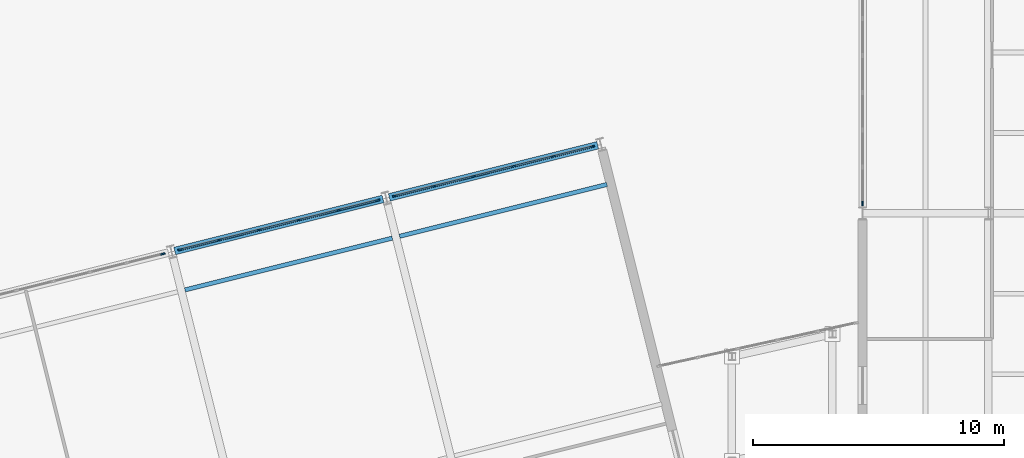
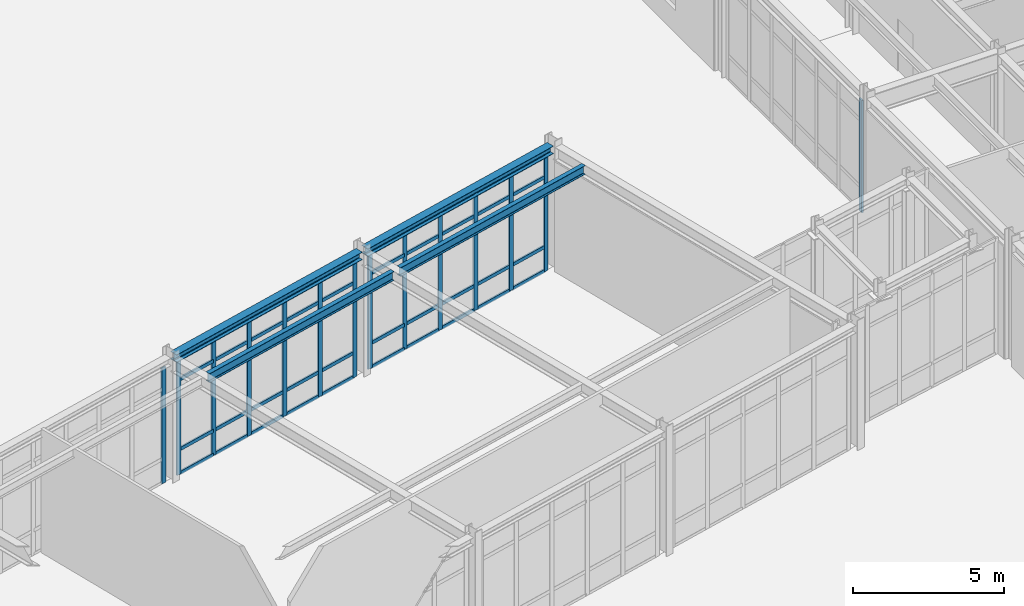
# One storey, part 58 of 109: 54 members, 4 beams, 4 elements without a shape of their own.
"""IFC4 building model written with IfcOpenShell, lengths in metres."""

from ifc_helpers import new_model, si_unit, direction, frame, origin, origin_2d, place, context, subcontext, project, spatial, rectangle, i_section, extrude, material, layer, layer_set, material_profile, profile_set, type_object, element, aggregate, save


model = new_model("IFC4")

# Units and contexts
model_context = context("Model", 3, precision=1e-05, world=origin(), true_north=direction((0.0, 1.0)))
body_context = subcontext(model_context, "Body", "Model", "MODEL_VIEW")
ifc_project = project(units=[si_unit("LENGTHUNIT", "METRE"), si_unit("AREAUNIT", "SQUARE_METRE"), si_unit("VOLUMEUNIT", "CUBIC_METRE"), si_unit("PLANEANGLEUNIT", "RADIAN"), si_unit("MASSUNIT", "GRAM", prefix="KILO")], contexts=[model_context])

# Site, building, storey
site_placement = place(None, origin())
site = spatial("IfcSite", under=ifc_project, at=site_placement, CompositionType="ELEMENT")
building_placement = place(site_placement, origin())
building = spatial("IfcBuilding", under=site, at=building_placement, Name="Nordkorset Police Headquarters", CompositionType="ELEMENT")
storey_placement = place(building_placement, origin())
storey = spatial("IfcBuildingStorey", under=building, at=storey_placement, Name="L00", CompositionType="ELEMENT", Elevation=0.0)

# Beams
ifc_material_1 = material(Name="Steel S355J2", Category="steel")
ifc_material_profile_1 = material_profile(ifc_material_1, i_section(OverallWidth=0.169921875, OverallDepth=0.360107421875, WebThickness=0.008056640625, FlangeThickness=0.0126953125, FilletRadius=0.01806640625, at=origin_2d()), Name="IPE 360")
ifc_profile_set_1 = profile_set([ifc_material_profile_1], Name="Steel S355J2")
beam_type_1 = type_object("IfcBeamType", Name="Beam_IPE_360", PredefinedType="BEAM", material=ifc_profile_set_1)
for number, where, z_axis, x_axis, name in (
    (1, (59.44677734375, 64.155517578125, 4.820068359375), (0.970135741501, 0.242562658011, 0.0), (-0.242562658011, 0.970135741501, 0.0), "Splayed Wing Secondary Beam L00 4-2"),
    (2, (67.984130859375, 66.2900390625, 4.820068359375), (0.970142500145, 0.242535625036, 0.0), (-0.242535625036, 0.970142500145, 0.0), "Splayed Wing Secondary Beam L00 5-2"),
):
    element("IfcBeam", number, at=place(storey_placement, frame(where, z_axis=z_axis, x_axis=x_axis)), inside=storey, type_object=beam_type_1, Name=name, PredefinedType="BEAM", context=body_context, shape_type="SweptSolid", body=[
        extrude(i_section(OverallWidth=0.169921875, OverallDepth=0.360107421875, WebThickness=0.008056640625, FlangeThickness=0.0126953125, FilletRadius=0.01806640625, at=origin_2d()), origin(), (0.0, 0.0, 1.0), 8.5),
    ])

# Curtain wall, member
ifc_material_2 = material(Name="Aluminium alloy AW-6060", Category="aluminium")
ifc_layer_1 = layer(ifc_material_2, 0.179931640625, Name="Aluminium alloy AW-6060")
ifc_layer_set_1 = layer_set([ifc_layer_1], Name="Aluminium alloy AW-6060")
curtain_wall_type_1 = type_object("IfcCurtainWallType", Name="CW_Unit_1056x467", PredefinedType="USERDEFINED", material=ifc_layer_set_1)
curtain_wall_1_placement = place(storey_placement, origin())
curtain_wall_1 = element("IfcCurtainWall", 3, at=curtain_wall_1_placement, inside=storey, type_object=curtain_wall_type_1, Name="Unitised Curtain Wall L00 V4N-3", ObjectType="UNITISED CURTAIN WALL", PredefinedType="USERDEFINED")
ifc_material_3 = material(Name="Aluminium alloy AW-6060", Category="aluminium")
ifc_material_profile_2 = material_profile(ifc_material_3, rectangle(XDim=0.06494140625, YDim=0.179931640625, at=origin_2d()), Name="ALU MULL 65x180")
ifc_profile_set_2 = profile_set([ifc_material_profile_2], Name="Aluminium alloy AW-6060")
member_type_1 = type_object("IfcMemberType", Name="CW_Mullion_65x180", PredefinedType="MULLION", material=ifc_profile_set_2)
member_1_placement = place(storey_placement, frame((58.5712890625, 65.5859375, 0.0), z_axis=(0.0, 0.0, 1.0), x_axis=(-0.242536070676, 0.970142388735, 0.0)))
member_1 = element("IfcMember", 4, at=member_1_placement, type_object=member_type_1, Name="CW-18 mullion 8", PredefinedType="MULLION", context=body_context, shape_type="SweptSolid", body=[
    extrude(rectangle(XDim=0.06494140625, YDim=0.179931640625, at=origin_2d()), origin(), (0.0, 0.0, 1.0), 4.669921875),
])
aggregate(curtain_wall_1, [member_1])

# Curtain wall, members
ifc_material_4 = material(Name="Aluminium alloy AW-6060", Category="aluminium")
ifc_layer_2 = layer(ifc_material_4, 0.179931640625, Name="Aluminium alloy AW-6060")
ifc_layer_set_2 = layer_set([ifc_layer_2], Name="Aluminium alloy AW-6060")
curtain_wall_type_2 = type_object("IfcCurtainWallType", Name="CW_Unit_816x467", PredefinedType="USERDEFINED", material=ifc_layer_set_2)
curtain_wall_2_placement = place(storey_placement, origin())
curtain_wall_2 = element("IfcCurtainWall", 5, at=curtain_wall_2_placement, inside=storey, type_object=curtain_wall_type_2, Name="Unitised Curtain Wall L00 V4N-4", ObjectType="UNITISED CURTAIN WALL", PredefinedType="USERDEFINED")
member_2_placement = place(storey_placement, frame((59.255126953125, 65.757080078125, 0.0), z_axis=(0.0, 0.0, 1.0), x_axis=(-0.242535336683, 0.970142572234, 0.0)))
member_2 = element("IfcMember", 6, at=member_2_placement, type_object=member_type_1, Name="CW-80 mullion 1", PredefinedType="MULLION", context=body_context, shape_type="SweptSolid", body=[
    extrude(rectangle(XDim=0.06494140625, YDim=0.179931640625, at=origin_2d()), origin(), (0.0, 0.0, 1.0), 4.669921875),
])
member_3_placement = place(storey_placement, frame((60.806884765625, 66.14501953125, 0.0), z_axis=(0.0, 0.0, 1.0), x_axis=(-0.242535336683, 0.970142572234, 0.0)))
member_3 = element("IfcMember", 7, at=member_3_placement, type_object=member_type_1, Name="CW-80 mullion 2", PredefinedType="MULLION", context=body_context, shape_type="SweptSolid", body=[
    extrude(rectangle(XDim=0.06494140625, YDim=0.179931640625, at=origin_2d()), origin(), (0.0, 0.0, 1.0), 4.669921875),
])
member_4_placement = place(storey_placement, frame((62.39013671875, 66.540771484375, 0.0), z_axis=(0.0, 0.0, 1.0), x_axis=(-0.242535336683, 0.970142572234, 0.0)))
member_4 = element("IfcMember", 8, at=member_4_placement, type_object=member_type_1, Name="CW-80 mullion 3", PredefinedType="MULLION", context=body_context, shape_type="SweptSolid", body=[
    extrude(rectangle(XDim=0.06494140625, YDim=0.179931640625, at=origin_2d()), origin(), (0.0, 0.0, 1.0), 4.669921875),
])
member_5_placement = place(storey_placement, frame((63.973388671875, 66.9365234375, 0.0), z_axis=(0.0, 0.0, 1.0), x_axis=(-0.242535336683, 0.970142572234, 0.0)))
member_5 = element("IfcMember", 9, at=member_5_placement, type_object=member_type_1, Name="CW-80 mullion 4", PredefinedType="MULLION", context=body_context, shape_type="SweptSolid", body=[
    extrude(rectangle(XDim=0.06494140625, YDim=0.179931640625, at=origin_2d()), origin(), (0.0, 0.0, 1.0), 4.669921875),
])
member_6_placement = place(storey_placement, frame((65.556640625, 67.332275390625, 0.0), z_axis=(0.0, 0.0, 1.0), x_axis=(-0.242535336683, 0.970142572234, 0.0)))
member_6 = element("IfcMember", 10, at=member_6_placement, type_object=member_type_1, Name="CW-80 mullion 5", PredefinedType="MULLION", context=body_context, shape_type="SweptSolid", body=[
    extrude(rectangle(XDim=0.06494140625, YDim=0.179931640625, at=origin_2d()), origin(), (0.0, 0.0, 1.0), 4.669921875),
])
member_7_placement = place(storey_placement, frame((67.1083984375, 67.72021484375, 0.0), z_axis=(0.0, 0.0, 1.0), x_axis=(-0.242535336683, 0.970142572234, 0.0)))
member_7 = element("IfcMember", 11, at=member_7_placement, type_object=member_type_1, Name="CW-80 mullion 6", PredefinedType="MULLION", context=body_context, shape_type="SweptSolid", body=[
    extrude(rectangle(XDim=0.06494140625, YDim=0.179931640625, at=origin_2d()), origin(), (0.0, 0.0, 1.0), 4.669921875),
])

curtain_wall_3_placement = place(storey_placement, origin())
curtain_wall_3 = element("IfcCurtainWall", 12, at=curtain_wall_3_placement, inside=storey, type_object=curtain_wall_type_2, Name="Unitised Curtain Wall L00 V4N-5", ObjectType="UNITISED CURTAIN WALL", PredefinedType="USERDEFINED")
member_8_placement = place(storey_placement, frame((67.79248046875, 67.891357421875, 0.0), z_axis=(0.0, 0.0, 1.0), x_axis=(-0.242535625038, 0.970142500145, 0.0)))
member_8 = element("IfcMember", 13, at=member_8_placement, type_object=member_type_1, Name="CW-80 mullion 1", PredefinedType="MULLION", context=body_context, shape_type="SweptSolid", body=[
    extrude(rectangle(XDim=0.06494140625, YDim=0.179931640625, at=origin_2d()), origin(), (0.0, 0.0, 1.0), 4.669921875),
])
member_9_placement = place(storey_placement, frame((69.34423828125, 68.279296875, 0.0), z_axis=(0.0, 0.0, 1.0), x_axis=(-0.242535625038, 0.970142500145, 0.0)))
member_9 = element("IfcMember", 14, at=member_9_placement, type_object=member_type_1, Name="CW-80 mullion 2", PredefinedType="MULLION", context=body_context, shape_type="SweptSolid", body=[
    extrude(rectangle(XDim=0.06494140625, YDim=0.179931640625, at=origin_2d()), origin(), (0.0, 0.0, 1.0), 4.669921875),
])
member_10_placement = place(storey_placement, frame((70.927490234375, 68.675048828125, 0.0), z_axis=(0.0, 0.0, 1.0), x_axis=(-0.242535625038, 0.970142500145, 0.0)))
member_10 = element("IfcMember", 15, at=member_10_placement, type_object=member_type_1, Name="CW-80 mullion 3", PredefinedType="MULLION", context=body_context, shape_type="SweptSolid", body=[
    extrude(rectangle(XDim=0.06494140625, YDim=0.179931640625, at=origin_2d()), origin(), (0.0, 0.0, 1.0), 4.669921875),
])
member_11_placement = place(storey_placement, frame((72.5107421875, 69.07080078125, 0.0), z_axis=(0.0, 0.0, 1.0), x_axis=(-0.242535625038, 0.970142500145, 0.0)))
member_11 = element("IfcMember", 16, at=member_11_placement, type_object=member_type_1, Name="CW-80 mullion 4", PredefinedType="MULLION", context=body_context, shape_type="SweptSolid", body=[
    extrude(rectangle(XDim=0.06494140625, YDim=0.179931640625, at=origin_2d()), origin(), (0.0, 0.0, 1.0), 4.669921875),
])
member_12_placement = place(storey_placement, frame((74.093994140625, 69.466552734375, 0.0), z_axis=(0.0, 0.0, 1.0), x_axis=(-0.242535625038, 0.970142500145, 0.0)))
member_12 = element("IfcMember", 17, at=member_12_placement, type_object=member_type_1, Name="CW-80 mullion 5", PredefinedType="MULLION", context=body_context, shape_type="SweptSolid", body=[
    extrude(rectangle(XDim=0.06494140625, YDim=0.179931640625, at=origin_2d()), origin(), (0.0, 0.0, 1.0), 4.669921875),
])
member_13_placement = place(storey_placement, frame((75.645751953125, 69.8544921875, 0.0), z_axis=(0.0, 0.0, 1.0), x_axis=(-0.242535625038, 0.970142500145, 0.0)))
member_13 = element("IfcMember", 18, at=member_13_placement, type_object=member_type_1, Name="CW-80 mullion 6", PredefinedType="MULLION", context=body_context, shape_type="SweptSolid", body=[
    extrude(rectangle(XDim=0.06494140625, YDim=0.179931640625, at=origin_2d()), origin(), (0.0, 0.0, 1.0), 4.669921875),
])

# Curtain wall, member
ifc_material_5 = material(Name="Aluminium alloy AW-6060", Category="aluminium")
ifc_layer_3 = layer(ifc_material_5, 0.179931640625, Name="Aluminium alloy AW-6060")
ifc_layer_set_3 = layer_set([ifc_layer_3], Name="Aluminium alloy AW-6060")
curtain_wall_type_3 = type_object("IfcCurtainWallType", Name="CW_Unit_888x454", PredefinedType="USERDEFINED", material=ifc_layer_set_3)
curtain_wall_4_placement = place(storey_placement, origin())
curtain_wall_4 = element("IfcCurtainWall", 19, at=curtain_wall_4_placement, inside=storey, type_object=curtain_wall_type_3, Name="Unitised Curtain Wall L00 V5W-2", ObjectType="UNITISED CURTAIN WALL", PredefinedType="USERDEFINED")
member_14_placement = place(storey_placement, frame((86.39990234375, 67.592529296875, 0.0), z_axis=(0.0, 0.0, 1.0), x_axis=(-1.0, 0.0, 0.0)))
member_14 = element("IfcMember", 20, at=member_14_placement, type_object=member_type_1, Name="CW-82 mullion 1", PredefinedType="MULLION", context=body_context, shape_type="SweptSolid", body=[
    extrude(rectangle(XDim=0.06494140625, YDim=0.179931640625, at=origin_2d()), origin(), (0.0, 0.0, 1.0), 4.5400390625),
])
aggregate(curtain_wall_4, [member_14])

# Member
ifc_material_6 = material(Name="Aluminium alloy AW-6060", Category="aluminium")
ifc_material_profile_3 = material_profile(ifc_material_6, rectangle(XDim=0.06494140625, YDim=0.139892578125, at=origin_2d()), Name="ALU TRAN 65x140")
ifc_profile_set_3 = profile_set([ifc_material_profile_3], Name="Aluminium alloy AW-6060")
member_type_2 = type_object("IfcMemberType", Name="CW_Transom_65x140", PredefinedType="USERDEFINED", material=ifc_profile_set_3)
member_15_placement = place(storey_placement, frame((59.28662109375, 65.764892578125, 0.032470703125), z_axis=(0.970161214313, 0.242460756086, 0.0), x_axis=(-0.242460756086, 0.970161214313, 0.0)))
member_15 = element("IfcMember", 21, at=member_15_placement, type_object=member_type_2, Name="CW-80 transom 1.1", ObjectType="TRANSOM", PredefinedType="USERDEFINED", context=body_context, shape_type="SweptSolid", body=[
    extrude(rectangle(XDim=0.06494140625, YDim=0.139892578125, at=origin_2d()), origin(), (0.0, 0.0, 1.0), 1.53466796875),
])

member_16_placement = place(storey_placement, frame((59.28662109375, 65.764892578125, 1.0), z_axis=(0.970161214313, 0.242460756086, 0.0), x_axis=(-0.242460756086, 0.970161214313, 0.0)))
member_16 = element("IfcMember", 22, at=member_16_placement, type_object=member_type_2, Name="CW-80 transom 1.2", ObjectType="TRANSOM", PredefinedType="USERDEFINED", context=body_context, shape_type="SweptSolid", body=[
    extrude(rectangle(XDim=0.06494140625, YDim=0.139892578125, at=origin_2d()), origin(), (0.0, 0.0, 1.0), 1.53466796875),
])

member_17_placement = place(storey_placement, frame((59.28662109375, 65.764892578125, 3.820068359375), z_axis=(0.970161214313, 0.242460756086, 0.0), x_axis=(-0.242460756086, 0.970161214313, 0.0)))
member_17 = element("IfcMember", 23, at=member_17_placement, type_object=member_type_2, Name="CW-80 transom 1.3", ObjectType="TRANSOM", PredefinedType="USERDEFINED", context=body_context, shape_type="SweptSolid", body=[
    extrude(rectangle(XDim=0.06494140625, YDim=0.139892578125, at=origin_2d()), origin(), (0.0, 0.0, 1.0), 1.53466796875),
])

member_18_placement = place(storey_placement, frame((59.28662109375, 65.764892578125, 4.637451171875), z_axis=(0.970161214313, 0.242460756086, 0.0), x_axis=(-0.242460756086, 0.970161214313, 0.0)))
member_18 = element("IfcMember", 24, at=member_18_placement, type_object=member_type_2, Name="CW-80 transom 1.4", ObjectType="TRANSOM", PredefinedType="USERDEFINED", context=body_context, shape_type="SweptSolid", body=[
    extrude(rectangle(XDim=0.06494140625, YDim=0.139892578125, at=origin_2d()), origin(), (0.0, 0.0, 1.0), 1.53466796875),
])

member_19_placement = place(storey_placement, frame((60.83837890625, 66.15283203125, 0.032470703125), z_axis=(0.970133335061, 0.24257228243, 0.0), x_axis=(-0.24257228243, 0.970133335061, 0.0)))
member_19 = element("IfcMember", 25, at=member_19_placement, type_object=member_type_2, Name="CW-80 transom 2.1", ObjectType="TRANSOM", PredefinedType="USERDEFINED", context=body_context, shape_type="SweptSolid", body=[
    extrude(rectangle(XDim=0.06494140625, YDim=0.139892578125, at=origin_2d()), origin(), (0.0, 0.0, 1.0), 1.567138671875),
])

member_20_placement = place(storey_placement, frame((60.83837890625, 66.15283203125, 1.0), z_axis=(0.970133335061, 0.24257228243, 0.0), x_axis=(-0.24257228243, 0.970133335061, 0.0)))
member_20 = element("IfcMember", 26, at=member_20_placement, type_object=member_type_2, Name="CW-80 transom 2.2", ObjectType="TRANSOM", PredefinedType="USERDEFINED", context=body_context, shape_type="SweptSolid", body=[
    extrude(rectangle(XDim=0.06494140625, YDim=0.139892578125, at=origin_2d()), origin(), (0.0, 0.0, 1.0), 1.567138671875),
])

member_21_placement = place(storey_placement, frame((60.83837890625, 66.15283203125, 3.820068359375), z_axis=(0.970133335061, 0.24257228243, 0.0), x_axis=(-0.24257228243, 0.970133335061, 0.0)))
member_21 = element("IfcMember", 27, at=member_21_placement, type_object=member_type_2, Name="CW-80 transom 2.3", ObjectType="TRANSOM", PredefinedType="USERDEFINED", context=body_context, shape_type="SweptSolid", body=[
    extrude(rectangle(XDim=0.06494140625, YDim=0.139892578125, at=origin_2d()), origin(), (0.0, 0.0, 1.0), 1.567138671875),
])

member_22_placement = place(storey_placement, frame((60.83837890625, 66.15283203125, 4.637451171875), z_axis=(0.970133335061, 0.24257228243, 0.0), x_axis=(-0.24257228243, 0.970133335061, 0.0)))
member_22 = element("IfcMember", 28, at=member_22_placement, type_object=member_type_2, Name="CW-80 transom 2.4", ObjectType="TRANSOM", PredefinedType="USERDEFINED", context=body_context, shape_type="SweptSolid", body=[
    extrude(rectangle(XDim=0.06494140625, YDim=0.139892578125, at=origin_2d()), origin(), (0.0, 0.0, 1.0), 1.567138671875),
])

member_23_placement = place(storey_placement, frame((62.421630859375, 66.548583984375, 0.032470703125), z_axis=(0.970133335061, 0.24257228243, 0.0), x_axis=(-0.24257228243, 0.970133335061, 0.0)))
member_23 = element("IfcMember", 29, at=member_23_placement, type_object=member_type_2, Name="CW-80 transom 3.1", ObjectType="TRANSOM", PredefinedType="USERDEFINED", context=body_context, shape_type="SweptSolid", body=[
    extrude(rectangle(XDim=0.06494140625, YDim=0.139892578125, at=origin_2d()), origin(), (0.0, 0.0, 1.0), 1.567138671875),
])

member_24_placement = place(storey_placement, frame((62.421630859375, 66.548583984375, 1.0), z_axis=(0.970133335061, 0.24257228243, 0.0), x_axis=(-0.24257228243, 0.970133335061, 0.0)))
member_24 = element("IfcMember", 30, at=member_24_placement, type_object=member_type_2, Name="CW-80 transom 3.2", ObjectType="TRANSOM", PredefinedType="USERDEFINED", context=body_context, shape_type="SweptSolid", body=[
    extrude(rectangle(XDim=0.06494140625, YDim=0.139892578125, at=origin_2d()), origin(), (0.0, 0.0, 1.0), 1.567138671875),
])

member_25_placement = place(storey_placement, frame((62.421630859375, 66.548583984375, 3.820068359375), z_axis=(0.970133335061, 0.24257228243, 0.0), x_axis=(-0.24257228243, 0.970133335061, 0.0)))
member_25 = element("IfcMember", 31, at=member_25_placement, type_object=member_type_2, Name="CW-80 transom 3.3", ObjectType="TRANSOM", PredefinedType="USERDEFINED", context=body_context, shape_type="SweptSolid", body=[
    extrude(rectangle(XDim=0.06494140625, YDim=0.139892578125, at=origin_2d()), origin(), (0.0, 0.0, 1.0), 1.567138671875),
])

member_26_placement = place(storey_placement, frame((62.421630859375, 66.548583984375, 4.637451171875), z_axis=(0.970133335061, 0.24257228243, 0.0), x_axis=(-0.24257228243, 0.970133335061, 0.0)))
member_26 = element("IfcMember", 32, at=member_26_placement, type_object=member_type_2, Name="CW-80 transom 3.4", ObjectType="TRANSOM", PredefinedType="USERDEFINED", context=body_context, shape_type="SweptSolid", body=[
    extrude(rectangle(XDim=0.06494140625, YDim=0.139892578125, at=origin_2d()), origin(), (0.0, 0.0, 1.0), 1.567138671875),
])

member_27_placement = place(storey_placement, frame((64.0048828125, 66.9443359375, 0.032470703125), z_axis=(0.970133335061, 0.24257228243, 0.0), x_axis=(-0.24257228243, 0.970133335061, 0.0)))
member_27 = element("IfcMember", 33, at=member_27_placement, type_object=member_type_2, Name="CW-80 transom 4.1", ObjectType="TRANSOM", PredefinedType="USERDEFINED", context=body_context, shape_type="SweptSolid", body=[
    extrude(rectangle(XDim=0.06494140625, YDim=0.139892578125, at=origin_2d()), origin(), (0.0, 0.0, 1.0), 1.567138671875),
])

member_28_placement = place(storey_placement, frame((64.0048828125, 66.9443359375, 1.0), z_axis=(0.970133335061, 0.24257228243, 0.0), x_axis=(-0.24257228243, 0.970133335061, 0.0)))
member_28 = element("IfcMember", 34, at=member_28_placement, type_object=member_type_2, Name="CW-80 transom 4.2", ObjectType="TRANSOM", PredefinedType="USERDEFINED", context=body_context, shape_type="SweptSolid", body=[
    extrude(rectangle(XDim=0.06494140625, YDim=0.139892578125, at=origin_2d()), origin(), (0.0, 0.0, 1.0), 1.567138671875),
])

member_29_placement = place(storey_placement, frame((64.0048828125, 66.9443359375, 3.820068359375), z_axis=(0.970133335061, 0.24257228243, 0.0), x_axis=(-0.24257228243, 0.970133335061, 0.0)))
member_29 = element("IfcMember", 35, at=member_29_placement, type_object=member_type_2, Name="CW-80 transom 4.3", ObjectType="TRANSOM", PredefinedType="USERDEFINED", context=body_context, shape_type="SweptSolid", body=[
    extrude(rectangle(XDim=0.06494140625, YDim=0.139892578125, at=origin_2d()), origin(), (0.0, 0.0, 1.0), 1.567138671875),
])

member_30_placement = place(storey_placement, frame((64.0048828125, 66.9443359375, 4.637451171875), z_axis=(0.970133335061, 0.24257228243, 0.0), x_axis=(-0.24257228243, 0.970133335061, 0.0)))
member_30 = element("IfcMember", 36, at=member_30_placement, type_object=member_type_2, Name="CW-80 transom 4.4", ObjectType="TRANSOM", PredefinedType="USERDEFINED", context=body_context, shape_type="SweptSolid", body=[
    extrude(rectangle(XDim=0.06494140625, YDim=0.139892578125, at=origin_2d()), origin(), (0.0, 0.0, 1.0), 1.567138671875),
])

member_31_placement = place(storey_placement, frame((65.588134765625, 67.34033203125, 0.032470703125), z_axis=(0.970161214313, 0.242460756086, 0.0), x_axis=(-0.242460756086, 0.970161214313, 0.0)))
member_31 = element("IfcMember", 37, at=member_31_placement, type_object=member_type_2, Name="CW-80 transom 5.1", ObjectType="TRANSOM", PredefinedType="USERDEFINED", context=body_context, shape_type="SweptSolid", body=[
    extrude(rectangle(XDim=0.06494140625, YDim=0.139892578125, at=origin_2d()), origin(), (0.0, 0.0, 1.0), 1.53466796875),
])

member_32_placement = place(storey_placement, frame((65.588134765625, 67.34033203125, 1.0), z_axis=(0.970161214313, 0.242460756086, 0.0), x_axis=(-0.242460756086, 0.970161214313, 0.0)))
member_32 = element("IfcMember", 38, at=member_32_placement, type_object=member_type_2, Name="CW-80 transom 5.2", ObjectType="TRANSOM", PredefinedType="USERDEFINED", context=body_context, shape_type="SweptSolid", body=[
    extrude(rectangle(XDim=0.06494140625, YDim=0.139892578125, at=origin_2d()), origin(), (0.0, 0.0, 1.0), 1.53466796875),
])

member_33_placement = place(storey_placement, frame((65.588134765625, 67.34033203125, 3.820068359375), z_axis=(0.970161214313, 0.242460756086, 0.0), x_axis=(-0.242460756086, 0.970161214313, 0.0)))
member_33 = element("IfcMember", 39, at=member_33_placement, type_object=member_type_2, Name="CW-80 transom 5.3", ObjectType="TRANSOM", PredefinedType="USERDEFINED", context=body_context, shape_type="SweptSolid", body=[
    extrude(rectangle(XDim=0.06494140625, YDim=0.139892578125, at=origin_2d()), origin(), (0.0, 0.0, 1.0), 1.53466796875),
])

member_34_placement = place(storey_placement, frame((65.588134765625, 67.34033203125, 4.637451171875), z_axis=(0.970161214313, 0.242460756086, 0.0), x_axis=(-0.242460756086, 0.970161214313, 0.0)))
member_34 = element("IfcMember", 40, at=member_34_placement, type_object=member_type_2, Name="CW-80 transom 5.4", ObjectType="TRANSOM", PredefinedType="USERDEFINED", context=body_context, shape_type="SweptSolid", body=[
    extrude(rectangle(XDim=0.06494140625, YDim=0.139892578125, at=origin_2d()), origin(), (0.0, 0.0, 1.0), 1.53466796875),
])

aggregate(curtain_wall_2, [member_2, member_3, member_4, member_5, member_6, member_7, member_15, member_16, member_17, member_18, member_19, member_20, member_21, member_22, member_23, member_24, member_25, member_26, member_27, member_28, member_29, member_30, member_31, member_32, member_33, member_34])

member_35_placement = place(storey_placement, frame((67.823974609375, 67.899169921875, 0.032470703125), z_axis=(0.970161214313, 0.242460756086, 0.0), x_axis=(-0.242460756086, 0.970161214313, 0.0)))
member_35 = element("IfcMember", 41, at=member_35_placement, type_object=member_type_2, Name="CW-80 transom 1.1", ObjectType="TRANSOM", PredefinedType="USERDEFINED", context=body_context, shape_type="SweptSolid", body=[
    extrude(rectangle(XDim=0.06494140625, YDim=0.139892578125, at=origin_2d()), origin(), (0.0, 0.0, 1.0), 1.53466796875),
])

member_36_placement = place(storey_placement, frame((67.823974609375, 67.899169921875, 1.0), z_axis=(0.970161214313, 0.242460756086, 0.0), x_axis=(-0.242460756086, 0.970161214313, 0.0)))
member_36 = element("IfcMember", 42, at=member_36_placement, type_object=member_type_2, Name="CW-80 transom 1.2", ObjectType="TRANSOM", PredefinedType="USERDEFINED", context=body_context, shape_type="SweptSolid", body=[
    extrude(rectangle(XDim=0.06494140625, YDim=0.139892578125, at=origin_2d()), origin(), (0.0, 0.0, 1.0), 1.53466796875),
])

member_37_placement = place(storey_placement, frame((67.823974609375, 67.899169921875, 3.820068359375), z_axis=(0.970161214313, 0.242460756086, 0.0), x_axis=(-0.242460756086, 0.970161214313, 0.0)))
member_37 = element("IfcMember", 43, at=member_37_placement, type_object=member_type_2, Name="CW-80 transom 1.3", ObjectType="TRANSOM", PredefinedType="USERDEFINED", context=body_context, shape_type="SweptSolid", body=[
    extrude(rectangle(XDim=0.06494140625, YDim=0.139892578125, at=origin_2d()), origin(), (0.0, 0.0, 1.0), 1.53466796875),
])

member_38_placement = place(storey_placement, frame((67.823974609375, 67.899169921875, 4.637451171875), z_axis=(0.970161214313, 0.242460756086, 0.0), x_axis=(-0.242460756086, 0.970161214313, 0.0)))
member_38 = element("IfcMember", 44, at=member_38_placement, type_object=member_type_2, Name="CW-80 transom 1.4", ObjectType="TRANSOM", PredefinedType="USERDEFINED", context=body_context, shape_type="SweptSolid", body=[
    extrude(rectangle(XDim=0.06494140625, YDim=0.139892578125, at=origin_2d()), origin(), (0.0, 0.0, 1.0), 1.53466796875),
])

member_39_placement = place(storey_placement, frame((69.375732421875, 68.287109375, 0.032470703125), z_axis=(0.970133335061, 0.24257228243, 0.0), x_axis=(-0.24257228243, 0.970133335061, 0.0)))
member_39 = element("IfcMember", 45, at=member_39_placement, type_object=member_type_2, Name="CW-80 transom 2.1", ObjectType="TRANSOM", PredefinedType="USERDEFINED", context=body_context, shape_type="SweptSolid", body=[
    extrude(rectangle(XDim=0.06494140625, YDim=0.139892578125, at=origin_2d()), origin(), (0.0, 0.0, 1.0), 1.567138671875),
])

member_40_placement = place(storey_placement, frame((69.375732421875, 68.287109375, 1.0), z_axis=(0.970133335061, 0.24257228243, 0.0), x_axis=(-0.24257228243, 0.970133335061, 0.0)))
member_40 = element("IfcMember", 46, at=member_40_placement, type_object=member_type_2, Name="CW-80 transom 2.2", ObjectType="TRANSOM", PredefinedType="USERDEFINED", context=body_context, shape_type="SweptSolid", body=[
    extrude(rectangle(XDim=0.06494140625, YDim=0.139892578125, at=origin_2d()), origin(), (0.0, 0.0, 1.0), 1.567138671875),
])

member_41_placement = place(storey_placement, frame((69.375732421875, 68.287109375, 3.820068359375), z_axis=(0.970133335061, 0.24257228243, 0.0), x_axis=(-0.24257228243, 0.970133335061, 0.0)))
member_41 = element("IfcMember", 47, at=member_41_placement, type_object=member_type_2, Name="CW-80 transom 2.3", ObjectType="TRANSOM", PredefinedType="USERDEFINED", context=body_context, shape_type="SweptSolid", body=[
    extrude(rectangle(XDim=0.06494140625, YDim=0.139892578125, at=origin_2d()), origin(), (0.0, 0.0, 1.0), 1.567138671875),
])

member_42_placement = place(storey_placement, frame((69.375732421875, 68.287109375, 4.637451171875), z_axis=(0.970133335061, 0.24257228243, 0.0), x_axis=(-0.24257228243, 0.970133335061, 0.0)))
member_42 = element("IfcMember", 48, at=member_42_placement, type_object=member_type_2, Name="CW-80 transom 2.4", ObjectType="TRANSOM", PredefinedType="USERDEFINED", context=body_context, shape_type="SweptSolid", body=[
    extrude(rectangle(XDim=0.06494140625, YDim=0.139892578125, at=origin_2d()), origin(), (0.0, 0.0, 1.0), 1.567138671875),
])

member_43_placement = place(storey_placement, frame((70.958984375, 68.682861328125, 0.032470703125), z_axis=(0.970133335061, 0.24257228243, 0.0), x_axis=(-0.24257228243, 0.970133335061, 0.0)))
member_43 = element("IfcMember", 49, at=member_43_placement, type_object=member_type_2, Name="CW-80 transom 3.1", ObjectType="TRANSOM", PredefinedType="USERDEFINED", context=body_context, shape_type="SweptSolid", body=[
    extrude(rectangle(XDim=0.06494140625, YDim=0.139892578125, at=origin_2d()), origin(), (0.0, 0.0, 1.0), 1.567138671875),
])

member_44_placement = place(storey_placement, frame((70.958984375, 68.682861328125, 1.0), z_axis=(0.970133335061, 0.24257228243, 0.0), x_axis=(-0.24257228243, 0.970133335061, 0.0)))
member_44 = element("IfcMember", 50, at=member_44_placement, type_object=member_type_2, Name="CW-80 transom 3.2", ObjectType="TRANSOM", PredefinedType="USERDEFINED", context=body_context, shape_type="SweptSolid", body=[
    extrude(rectangle(XDim=0.06494140625, YDim=0.139892578125, at=origin_2d()), origin(), (0.0, 0.0, 1.0), 1.567138671875),
])

member_45_placement = place(storey_placement, frame((70.958984375, 68.682861328125, 3.820068359375), z_axis=(0.970133335061, 0.24257228243, 0.0), x_axis=(-0.24257228243, 0.970133335061, 0.0)))
member_45 = element("IfcMember", 51, at=member_45_placement, type_object=member_type_2, Name="CW-80 transom 3.3", ObjectType="TRANSOM", PredefinedType="USERDEFINED", context=body_context, shape_type="SweptSolid", body=[
    extrude(rectangle(XDim=0.06494140625, YDim=0.139892578125, at=origin_2d()), origin(), (0.0, 0.0, 1.0), 1.567138671875),
])

member_46_placement = place(storey_placement, frame((70.958984375, 68.682861328125, 4.637451171875), z_axis=(0.970133335061, 0.24257228243, 0.0), x_axis=(-0.24257228243, 0.970133335061, 0.0)))
member_46 = element("IfcMember", 52, at=member_46_placement, type_object=member_type_2, Name="CW-80 transom 3.4", ObjectType="TRANSOM", PredefinedType="USERDEFINED", context=body_context, shape_type="SweptSolid", body=[
    extrude(rectangle(XDim=0.06494140625, YDim=0.139892578125, at=origin_2d()), origin(), (0.0, 0.0, 1.0), 1.567138671875),
])

member_47_placement = place(storey_placement, frame((72.542236328125, 69.078857421875, 0.032470703125), z_axis=(0.970169988125, 0.242425646623, 0.0), x_axis=(-0.242425646623, 0.970169988125, 0.0)))
member_47 = element("IfcMember", 53, at=member_47_placement, type_object=member_type_2, Name="CW-80 transom 4.1", ObjectType="TRANSOM", PredefinedType="USERDEFINED", context=body_context, shape_type="SweptSolid", body=[
    extrude(rectangle(XDim=0.06494140625, YDim=0.139892578125, at=origin_2d()), origin(), (0.0, 0.0, 1.0), 1.56689453125),
])

member_48_placement = place(storey_placement, frame((72.542236328125, 69.078857421875, 1.0), z_axis=(0.970169988125, 0.242425646623, 0.0), x_axis=(-0.242425646623, 0.970169988125, 0.0)))
member_48 = element("IfcMember", 54, at=member_48_placement, type_object=member_type_2, Name="CW-80 transom 4.2", ObjectType="TRANSOM", PredefinedType="USERDEFINED", context=body_context, shape_type="SweptSolid", body=[
    extrude(rectangle(XDim=0.06494140625, YDim=0.139892578125, at=origin_2d()), origin(), (0.0, 0.0, 1.0), 1.56689453125),
])

member_49_placement = place(storey_placement, frame((72.542236328125, 69.078857421875, 3.820068359375), z_axis=(0.970169988125, 0.242425646623, 0.0), x_axis=(-0.242425646623, 0.970169988125, 0.0)))
member_49 = element("IfcMember", 55, at=member_49_placement, type_object=member_type_2, Name="CW-80 transom 4.3", ObjectType="TRANSOM", PredefinedType="USERDEFINED", context=body_context, shape_type="SweptSolid", body=[
    extrude(rectangle(XDim=0.06494140625, YDim=0.139892578125, at=origin_2d()), origin(), (0.0, 0.0, 1.0), 1.56689453125),
])

member_50_placement = place(storey_placement, frame((72.542236328125, 69.078857421875, 4.637451171875), z_axis=(0.970169988125, 0.242425646623, 0.0), x_axis=(-0.242425646623, 0.970169988125, 0.0)))
member_50 = element("IfcMember", 56, at=member_50_placement, type_object=member_type_2, Name="CW-80 transom 4.4", ObjectType="TRANSOM", PredefinedType="USERDEFINED", context=body_context, shape_type="SweptSolid", body=[
    extrude(rectangle(XDim=0.06494140625, YDim=0.139892578125, at=origin_2d()), origin(), (0.0, 0.0, 1.0), 1.56689453125),
])

member_51_placement = place(storey_placement, frame((74.12548828125, 69.474609375, 0.032470703125), z_axis=(0.970161214313, 0.242460756086, 0.0), x_axis=(-0.242460756086, 0.970161214313, 0.0)))
member_51 = element("IfcMember", 57, at=member_51_placement, type_object=member_type_2, Name="CW-80 transom 5.1", ObjectType="TRANSOM", PredefinedType="USERDEFINED", context=body_context, shape_type="SweptSolid", body=[
    extrude(rectangle(XDim=0.06494140625, YDim=0.139892578125, at=origin_2d()), origin(), (0.0, 0.0, 1.0), 1.53466796875),
])

member_52_placement = place(storey_placement, frame((74.12548828125, 69.474609375, 1.0), z_axis=(0.970161214313, 0.242460756086, 0.0), x_axis=(-0.242460756086, 0.970161214313, 0.0)))
member_52 = element("IfcMember", 58, at=member_52_placement, type_object=member_type_2, Name="CW-80 transom 5.2", ObjectType="TRANSOM", PredefinedType="USERDEFINED", context=body_context, shape_type="SweptSolid", body=[
    extrude(rectangle(XDim=0.06494140625, YDim=0.139892578125, at=origin_2d()), origin(), (0.0, 0.0, 1.0), 1.53466796875),
])

member_53_placement = place(storey_placement, frame((74.12548828125, 69.474609375, 3.820068359375), z_axis=(0.970161214313, 0.242460756086, 0.0), x_axis=(-0.242460756086, 0.970161214313, 0.0)))
member_53 = element("IfcMember", 59, at=member_53_placement, type_object=member_type_2, Name="CW-80 transom 5.3", ObjectType="TRANSOM", PredefinedType="USERDEFINED", context=body_context, shape_type="SweptSolid", body=[
    extrude(rectangle(XDim=0.06494140625, YDim=0.139892578125, at=origin_2d()), origin(), (0.0, 0.0, 1.0), 1.53466796875),
])

member_54_placement = place(storey_placement, frame((74.12548828125, 69.474609375, 4.637451171875), z_axis=(0.970161214313, 0.242460756086, 0.0), x_axis=(-0.242460756086, 0.970161214313, 0.0)))
member_54 = element("IfcMember", 60, at=member_54_placement, type_object=member_type_2, Name="CW-80 transom 5.4", ObjectType="TRANSOM", PredefinedType="USERDEFINED", context=body_context, shape_type="SweptSolid", body=[
    extrude(rectangle(XDim=0.06494140625, YDim=0.139892578125, at=origin_2d()), origin(), (0.0, 0.0, 1.0), 1.53466796875),
])

aggregate(curtain_wall_3, [member_8, member_9, member_10, member_11, member_12, member_13, member_35, member_36, member_37, member_38, member_39, member_40, member_41, member_42, member_43, member_44, member_45, member_46, member_47, member_48, member_49, member_50, member_51, member_52, member_53, member_54])

# Beams
ifc_material_7 = material(Name="Steel S355J2", Category="steel")
ifc_material_profile_4 = material_profile(ifc_material_7, i_section(OverallWidth=0.300048828125, OverallDepth=0.31005859375, WebThickness=0.009033203125, FlangeThickness=0.015380859375, FilletRadius=0.027099609375, at=origin_2d()), Name="HEA 320")
ifc_profile_set_4 = profile_set([ifc_material_profile_4], Name="Steel S355J2")
beam_type_2 = type_object("IfcBeamType", Name="Spandrel_HEA_320", PredefinedType="SPANDREL", material=ifc_profile_set_4)
for number, where, z_axis, x_axis, name in (
    (61, (59.039306640625, 65.703125, 4.844970703125), (0.970147544948, 0.242515444933, 0.0), (-0.242515444933, 0.970147544948, 0.0), "Splayed Wing Spandrel L00 4-1"),
    (62, (67.57666015625, 67.83740234375, 4.844970703125), (0.970140818463, 0.242542351668, 0.0), (-0.242542351668, 0.970140818463, 0.0), "Splayed Wing Spandrel L00 5-1"),
):
    element("IfcBeam", number, at=place(storey_placement, frame(where, z_axis=z_axis, x_axis=x_axis)), inside=storey, type_object=beam_type_2, Name=name, PredefinedType="SPANDREL", context=body_context, shape_type="SweptSolid", body=[
        extrude(i_section(OverallWidth=0.300048828125, OverallDepth=0.31005859375, WebThickness=0.009033203125, FlangeThickness=0.015380859375, FilletRadius=0.027099609375, at=origin_2d()), origin(), (0.0, 0.0, 1.0), 8.539794921875),
    ])

save(model, "model.ifc")
